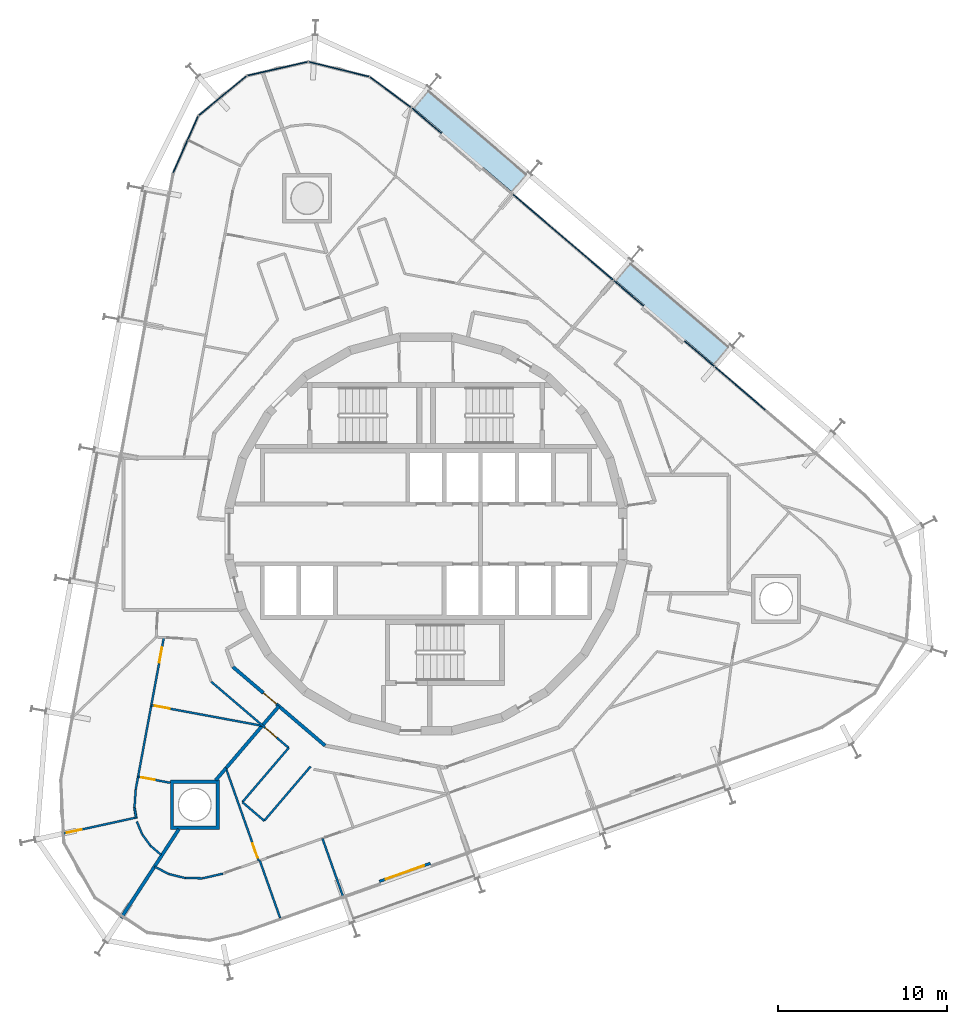
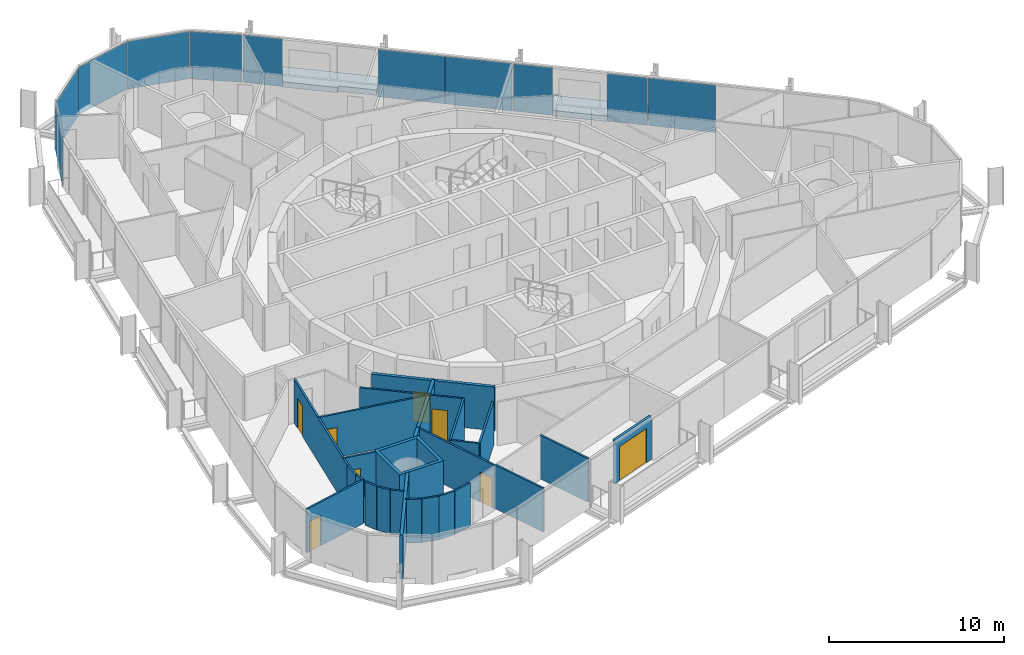
# One storey, part 10 of 17: 26 walls, 11 plates, 8 doors, 2 slabs, 8 openings, 2 elements without a shape of their own.
"""IFC4 building model written with IfcOpenShell, lengths in metres."""

from ifc_helpers import new_model, si_unit, direction, frame, frame_2d, origin, origin_2d, place, context, subcontext, project, spatial, polyline, rectangle, outline, extrude, material, layer, layer_set, type_object, element, fill, aggregate, save


model = new_model("IFC4")

# Units and contexts
model_context = context("Model", 3, precision=1e-05, world=origin(), true_north=direction((0.0, 1.0)))
body_context = subcontext(model_context, "Body", "Model", "MODEL_VIEW")
ifc_project = project(units=[si_unit("LENGTHUNIT", "METRE"), si_unit("AREAUNIT", "SQUARE_METRE"), si_unit("VOLUMEUNIT", "CUBIC_METRE"), si_unit("PLANEANGLEUNIT", "RADIAN"), si_unit("MASSUNIT", "GRAM", prefix="KILO")], contexts=[model_context])

# Site, building, storey
site_placement = place(None, origin())
site = spatial("IfcSite", under=ifc_project, at=site_placement, CompositionType="ELEMENT")
building_placement = place(site_placement, origin())
building = spatial("IfcBuilding", under=site, at=building_placement, Name="Spindle Arch Residences", CompositionType="ELEMENT")
storey_placement = place(building_placement, frame((0.0, 0.0, 179.699951171875)))
storey = spatial("IfcBuildingStorey", under=building, at=storey_placement, Name="L45", CompositionType="ELEMENT", Elevation=179.699951171875)

# Slabs
ifc_material_1 = material(Name="Concrete C40/50", Category="concrete")
ifc_layer_1 = layer(ifc_material_1, 0.3798828125)
ifc_layer_set_1 = layer_set([ifc_layer_1], Name="Balcony slab 380")
slab_type = type_object("IfcSlabType", Name="Balcony slab 380", PredefinedType="FLOOR", material=ifc_layer_set_1)
slab_1_placement = place(storey_placement, frame((0.0, 0.0, -0.3798828125)))
element("IfcSlab", 1, at=slab_1_placement, inside=storey, type_object=slab_type, Name="Balcony L45 bay 7", PredefinedType="FLOOR", context=body_context, shape_type="SweptSolid", body=[
    extrude(outline(polyline([(18.031494140625, 11.14208984375), (17.974365234375, 11.190673828125), (17.876953125, 11.07666015625), (12.128173828125, 15.986572265625), (12.2255859375, 16.1005859375), (12.168701171875, 16.1494140625), (11.200927734375, 15.016357421875), (12.915771484375, 13.5517578125), (12.811767578125, 13.43017578125), (15.2451171875, 11.351806640625), (15.34912109375, 11.4736328125), (17.063720703125, 10.009033203125), (18.031494140625, 11.14208984375)])), origin(), (0.0, 0.0, 1.0), 0.3798828125),
])
slab_2_placement = place(storey_placement, frame((0.0, 0.0, -0.3798828125)))
element("IfcSlab", 2, at=slab_2_placement, inside=storey, type_object=slab_type, Name="Balcony L45 bay 9", PredefinedType="FLOOR", context=body_context, shape_type="SweptSolid", body=[
    extrude(outline(polyline([(6.07763671875, 21.351318359375), (6.020751953125, 21.400146484375), (5.92333984375, 21.2861328125), (0.174560546875, 26.196044921875), (0.27197265625, 26.31005859375), (0.21484375, 26.358642578125), (-0.752685546875, 25.225830078125), (0.9619140625, 23.76123046875), (0.858154296875, 23.6396484375), (3.29150390625, 21.561279296875), (3.395263671875, 21.682861328125), (5.110107421875, 20.218505859375), (6.07763671875, 21.351318359375)])), origin(), (0.0, 0.0, 1.0), 0.3798828125),
])

# Curtain wall, plates
ifc_material_2 = material(Name="Aluminium bronze unitised frame with tinted glass", Category="aluminium")
ifc_layer_2 = layer(ifc_material_2, 0.159912109375)
ifc_layer_set_2 = layer_set([ifc_layer_2], Name="CW-C typical residential unitised wall")
curtain_wall_type_1 = type_object("IfcCurtainWallType", Name="CW-C typical residential unitised wall", PredefinedType="NOTDEFINED", material=ifc_layer_set_2)
curtain_wall_1_placement = place(storey_placement, origin())
curtain_wall_1 = element("IfcCurtainWall", 3, at=curtain_wall_1_placement, inside=storey, type_object=curtain_wall_type_1, Name="CW-C L45 run 2", PredefinedType="NOTDEFINED")
ifc_material_3 = material(Name="Tinted double glazing over aluminium faced non-combustible spandrel zone (K0)", Category="aluminium")
ifc_layer_3 = layer(ifc_material_3, 0.06005859375)
ifc_layer_set_3 = layer_set([ifc_layer_3], Name="Unitised glass panel with E 60 spandrel zone")
plate_type = type_object("IfcPlateType", Name="Unitised glass panel with E 60 spandrel zone", PredefinedType="CURTAIN_PANEL", material=ifc_layer_set_3)
plate_1_placement = place(storey_placement, frame((18.574462890625, 8.613525390625, -0.3798828125), z_axis=(0.0, 0.0, 1.0), x_axis=(-0.7604059656, 0.64944804833, 0.0)))
plate_1 = element("IfcPlate", 4, at=plate_1_placement, type_object=plate_type, Name="CW-C unit 05B", PredefinedType="CURTAIN_PANEL", context=body_context, shape_type="SweptSolid", body=[
    extrude(rectangle(XDim=3.900146484375, YDim=0.06005859375, at=origin_2d()), origin(), (0.0, 0.0, 1.0), 3.31005859375),
])
plate_2_placement = place(storey_placement, frame((16.171630859375, 10.665771484375, -0.3798828125), z_axis=(0.0, 0.0, 1.0), x_axis=(-0.7604059656, 0.64944804833, 0.0)))
plate_2 = element("IfcPlate", 5, at=plate_2_placement, type_object=plate_type, Name="CW-C unit 06L", PredefinedType="CURTAIN_PANEL", context=body_context, shape_type="SweptSolid", body=[
    extrude(rectangle(XDim=2.300048828125, YDim=0.06005859375, at=origin_2d()), origin(), (0.0, 0.0, 1.0), 3.31005859375),
])
plate_3_placement = place(storey_placement, frame((11.9892578125, 14.23779296875, -0.3798828125), z_axis=(0.0, 0.0, 1.0), x_axis=(-0.7604059656, 0.64944804833, 0.0)))
plate_3 = element("IfcPlate", 6, at=plate_3_placement, type_object=plate_type, Name="CW-C unit 06R", PredefinedType="CURTAIN_PANEL", context=body_context, shape_type="SweptSolid", body=[
    extrude(rectangle(XDim=2.300048828125, YDim=0.06005859375, at=origin_2d()), origin(), (0.0, 0.0, 1.0), 3.31005859375),
])
plate_4_placement = place(storey_placement, frame((9.58642578125, 16.2900390625, -0.3798828125), z_axis=(0.0, 0.0, 1.0), x_axis=(-0.7604059656, 0.64944804833, 0.0)))
plate_4 = element("IfcPlate", 7, at=plate_4_placement, type_object=plate_type, Name="CW-C unit 07A", PredefinedType="CURTAIN_PANEL", context=body_context, shape_type="SweptSolid", body=[
    extrude(rectangle(XDim=3.900146484375, YDim=0.06005859375, at=origin_2d()), origin(), (0.0, 0.0, 1.0), 3.31005859375),
])
plate_5_placement = place(storey_placement, frame((6.620849609375, 18.822998046875, -0.3798828125), z_axis=(0.0, 0.0, 1.0), x_axis=(-0.7604059656, 0.64944804833, 0.0)))
plate_5 = element("IfcPlate", 8, at=plate_5_placement, type_object=plate_type, Name="CW-C unit 07B", PredefinedType="CURTAIN_PANEL", context=body_context, shape_type="SweptSolid", body=[
    extrude(rectangle(XDim=3.900146484375, YDim=0.06005859375, at=origin_2d()), origin(), (0.0, 0.0, 1.0), 3.31005859375),
])
plate_6_placement = place(storey_placement, frame((0.03564453125, 24.447265625, -0.3798828125), z_axis=(0.0, 0.0, 1.0), x_axis=(-0.7604059656, 0.64944804833, 0.0)))
plate_6 = element("IfcPlate", 9, at=plate_6_placement, type_object=plate_type, Name="CW-C unit 08R", PredefinedType="CURTAIN_PANEL", context=body_context, shape_type="SweptSolid", body=[
    extrude(rectangle(XDim=2.300048828125, YDim=0.06005859375, at=origin_2d()), origin(), (0.0, 0.0, 1.0), 3.31005859375),
])
aggregate(curtain_wall_1, [plate_1, plate_2, plate_3, plate_4, plate_5, plate_6])

ifc_material_4 = material(Name="Aluminium bronze unitised frame with tinted glass", Category="aluminium")
ifc_layer_4 = layer(ifc_material_4, 0.159912109375)
ifc_layer_set_4 = layer_set([ifc_layer_4], Name="CW-D corner wall on the fillet arcs")
curtain_wall_type_2 = type_object("IfcCurtainWallType", Name="CW-D corner wall on the fillet arcs", PredefinedType="NOTDEFINED", material=ifc_layer_set_4)
curtain_wall_2_placement = place(storey_placement, origin())
curtain_wall_2 = element("IfcCurtainWall", 10, at=curtain_wall_2_placement, inside=storey, type_object=curtain_wall_type_2, Name="CW-D L45 run 3", PredefinedType="NOTDEFINED")
plate_7_placement = place(storey_placement, frame((-2.102294921875, 26.1298828125, -0.3798828125), z_axis=(0.0, 0.0, 1.0), x_axis=(-0.804365716131, 0.594134492109, 0.0)))
plate_7 = element("IfcPlate", 11, at=plate_7_placement, type_object=plate_type, Name="CW-D unit 00", PredefinedType="CURTAIN_PANEL", context=body_context, shape_type="SweptSolid", body=[
    extrude(rectangle(XDim=3.0244140625, YDim=0.06005859375, at=origin_2d()), origin(), (0.0, 0.0, 1.0), 3.31005859375),
])
plate_8_placement = place(storey_placement, frame((-5.152099609375, 27.49169921875, -0.3798828125), z_axis=(0.0, 0.0, 1.0), x_axis=(-0.970995342056, 0.239098401721, 0.0)))
plate_8 = element("IfcPlate", 12, at=plate_8_placement, type_object=plate_type, Name="CW-D unit 01", PredefinedType="CURTAIN_PANEL", context=body_context, shape_type="SweptSolid", body=[
    extrude(rectangle(XDim=3.666748046875, YDim=0.06005859375, at=origin_2d()), origin(), (0.0, 0.0, 1.0), 3.31005859375),
])
plate_9_placement = place(storey_placement, frame((-8.7783203125, 27.5234375, -0.3798828125), z_axis=(0.0, 0.0, 1.0), x_axis=(-0.975020297449, -0.222115779633, 0.0)))
plate_9 = element("IfcPlate", 13, at=plate_9_placement, type_object=plate_type, Name="CW-D unit 02", PredefinedType="CURTAIN_PANEL", context=body_context, shape_type="SweptSolid", body=[
    extrude(rectangle(XDim=3.666748046875, YDim=0.06005859375, at=origin_2d()), origin(), (0.0, 0.0, 1.0), 3.31005859375),
])
plate_10_placement = place(storey_placement, frame((-12.032958984375, 25.92431640625, -0.3798828125), z_axis=(0.0, 0.0, 1.0), x_axis=(-0.771624583032, -0.636078220709, 0.0)))
plate_10 = element("IfcPlate", 14, at=plate_10_placement, type_object=plate_type, Name="CW-D unit 03", PredefinedType="CURTAIN_PANEL", context=body_context, shape_type="SweptSolid", body=[
    extrude(rectangle(XDim=3.666748046875, YDim=0.06005859375, at=origin_2d()), origin(), (0.0, 0.0, 1.0), 3.31005859375),
])
plate_11_placement = place(storey_placement, frame((-14.2236328125, 23.034423828125, -0.3798828125), z_axis=(0.0, 0.0, 1.0), x_axis=(-0.404077526853, -0.914724741271, 0.0)))
plate_11 = element("IfcPlate", 15, at=plate_11_placement, type_object=plate_type, Name="CW-D unit 04", PredefinedType="CURTAIN_PANEL", context=body_context, shape_type="SweptSolid", body=[
    extrude(rectangle(XDim=3.666748046875, YDim=0.06005859375, at=origin_2d()), origin(), (0.0, 0.0, 1.0), 3.31005859375),
])
aggregate(curtain_wall_2, [plate_7, plate_8, plate_9, plate_10, plate_11])

# Wall, opening, door
ifc_material_5 = material(Name="Calcium silicate block, plastered")
ifc_layer_5 = layer(ifc_material_5, 0.199951171875)
ifc_layer_set_5 = layer_set([ifc_layer_5], Name="Corridor wall 200")
wall_type_1 = type_object("IfcWallType", Name="Corridor wall 200", PredefinedType="STANDARD", material=ifc_layer_set_5)
wall_1_placement = place(storey_placement, frame((-11.432861328125, -7.857666015625, 0.0), z_axis=(0.0, 0.0, 1.0), x_axis=(0.760412154545, -0.649440801937, 0.0)))
wall_1 = element("IfcWall", 16, at=wall_1_placement, inside=storey, type_object=wall_type_1, Name="Corridor wall R4C0-W016", PredefinedType="STANDARD", context=body_context, shape_type="SweptSolid", body=[
    extrude(rectangle(XDim=7.180908203125, YDim=0.199951171875, at=frame_2d((3.59033203125, 0.0))), origin(), (0.0, 0.0, 1.0), 3.050048828125),
])
opening_1_placement = place(wall_1_placement, frame((2.390380859375, 0.0, 0.0)))
opening_1 = element("IfcOpeningElement", 17, at=opening_1_placement, cuts=wall_1, Name="Opening R4C0-FD04", PredefinedType="OPENING", context=body_context, shape_type="SweptSolid", body=[
    extrude(rectangle(XDim=1.0, YDim=2.10009765625, at=frame_2d((0.5, 1.050048828125))), frame((0.0, 0.10986328125, 0.0), z_axis=(0.0, -1.0, 0.0), x_axis=(1.0, 0.0, 0.0)), (0.0, 0.0, 1.0), 0.219970703125),
])
ifc_material_6 = material(Name="Timber, fire-resisting door set", Category="wood")
door_type_1 = type_object("IfcDoorType", Name="Flat entrance door 1000x2100", OperationType="NOTDEFINED", PredefinedType="DOOR", material=ifc_material_6)
door_1_placement = place(opening_1_placement, origin())
door_1 = element("IfcDoor", 18, at=door_1_placement, inside=storey, type_object=door_type_1, Name="Flat entrance door R4C0-FD04", OperationType="SINGLE_SWING_RIGHT", OverallHeight=2.10009765625, OverallWidth=1.0, PredefinedType="DOOR", context=body_context, shape_type="SweptSolid", body=[
    extrude(rectangle(XDim=1.0, YDim=2.10009765625, at=frame_2d((0.5, 1.050048828125))), frame((0.0, 0.02490234375, 0.0), z_axis=(0.0, -1.0, 0.0), x_axis=(1.0, 0.0, 0.0)), (0.0, 0.0, 1.0), 0.050048828125),
])
fill(opening_1, door_1)

ifc_material_7 = material(Name="Plasterboard on steel studs", Category="steel")
ifc_layer_6 = layer(ifc_material_7, 0.1201171875)
ifc_layer_set_6 = layer_set([ifc_layer_6], Name="Flat partition 120")
wall_type_2 = type_object("IfcWallType", Name="Flat partition 120", PredefinedType="PARTITIONING", material=ifc_layer_set_6)
wall_2_placement = place(storey_placement, frame((-12.712646484375, -8.7373046875, 0.0), z_axis=(0.0, 0.0, 1.0), x_axis=(0.760432387723, -0.649417110725, 0.0)))
wall_2 = element("IfcWall", 19, at=wall_2_placement, inside=storey, type_object=wall_type_2, Name="Flat partition R4C0-W085", PredefinedType="PARTITIONING", context=body_context, shape_type="SweptSolid", body=[
    extrude(rectangle(XDim=6.0322265625, YDim=0.1201171875, at=frame_2d((3.01611328125, 0.0))), origin(), (0.0, 0.0, 1.0), 3.050048828125),
])
opening_2_placement = place(wall_2_placement, frame((4.1923828125, 0.0, 0.0)))
opening_2 = element("IfcOpeningElement", 20, at=opening_2_placement, cuts=wall_2, Name="Opening R4C0-ID22", PredefinedType="OPENING", context=body_context, shape_type="SweptSolid", body=[
    extrude(rectangle(XDim=0.89990234375, YDim=2.10009765625, at=frame_2d((0.449951171875, 1.050048828125))), frame((0.0, 0.070068359375, 0.0), z_axis=(0.0, -1.0, 0.0), x_axis=(1.0, 0.0, 0.0)), (0.0, 0.0, 1.0), 0.14013671875),
])
ifc_material_8 = material(Name="Timber door set", Category="wood")
door_type_2 = type_object("IfcDoorType", Name="Room door 900x2100", OperationType="NOTDEFINED", PredefinedType="DOOR", material=ifc_material_8)
door_2_placement = place(opening_2_placement, origin())
door_2 = element("IfcDoor", 21, at=door_2_placement, inside=storey, type_object=door_type_2, Name="Room door R4C0-ID22", OperationType="SINGLE_SWING_LEFT", OverallHeight=2.10009765625, OverallWidth=0.89990234375, PredefinedType="DOOR", context=body_context, shape_type="SweptSolid", body=[
    extrude(rectangle(XDim=0.89990234375, YDim=2.10009765625, at=frame_2d((0.449951171875, 1.050048828125))), frame((0.0, 0.02490234375, 0.0), z_axis=(0.0, -1.0, 0.0), x_axis=(1.0, 0.0, 0.0)), (0.0, 0.0, 1.0), 0.050048828125),
])
fill(opening_2, door_2)

wall_3_placement = place(storey_placement, frame((-15.509765625, -6.1298828125, 0.0), z_axis=(0.0, 0.0, 1.0), x_axis=(-0.182243361628, -0.98325345519, 0.0)))
wall_3 = element("IfcWall", 22, at=wall_3_placement, inside=storey, type_object=wall_type_2, Name="Flat partition R4C0-W087", PredefinedType="PARTITIONING", context=body_context, shape_type="SweptSolid", body=[
    extrude(rectangle(XDim=9.1337890625, YDim=0.1201171875, at=frame_2d((4.56689453125, 0.0))), origin(), (0.0, 0.0, 1.0), 3.050048828125),
])
opening_3_placement = place(wall_3_placement, frame((0.60009765625, 0.0, 0.0)))
opening_3 = element("IfcOpeningElement", 23, at=opening_3_placement, cuts=wall_3, Name="Opening R4C0-ID19", PredefinedType="OPENING", context=body_context, shape_type="SweptSolid", body=[
    extrude(rectangle(XDim=0.89990234375, YDim=2.10009765625, at=frame_2d((0.449951171875, 1.050048828125))), frame((0.0, 0.070068359375, 0.0), z_axis=(0.0, -1.0, 0.0), x_axis=(1.0, 0.0, 0.0)), (0.0, 0.0, 1.0), 0.14013671875),
])
door_3_placement = place(opening_3_placement, origin())
door_3 = element("IfcDoor", 24, at=door_3_placement, inside=storey, type_object=door_type_2, Name="Room door R4C0-ID19", OperationType="SINGLE_SWING_RIGHT", OverallHeight=2.10009765625, OverallWidth=0.89990234375, PredefinedType="DOOR", context=body_context, shape_type="SweptSolid", body=[
    extrude(rectangle(XDim=0.89990234375, YDim=2.10009765625, at=frame_2d((0.449951171875, 1.050048828125))), frame((0.0, 0.02490234375, 0.0), z_axis=(0.0, -1.0, 0.0), x_axis=(1.0, 0.0, 0.0)), (0.0, 0.0, 1.0), 0.050048828125),
])
fill(opening_3, door_3)

wall_4_placement = place(storey_placement, frame((-16.251708984375, -10.133056640625, 0.0), z_axis=(0.0, 0.0, 1.0), x_axis=(0.983256998026, -0.182224246005, 0.0)))
wall_4 = element("IfcWall", 25, at=wall_4_placement, inside=storey, type_object=wall_type_2, Name="Flat partition R4C0-W088", PredefinedType="PARTITIONING", context=body_context, shape_type="SweptSolid", body=[
    extrude(rectangle(XDim=6.670654296875, YDim=0.1201171875, at=frame_2d((3.33544921875, 0.0))), origin(), (0.0, 0.0, 1.0), 3.050048828125),
])
opening_4_placement = place(wall_4_placement, frame((0.199951171875, 0.0, 0.0)))
opening_4 = element("IfcOpeningElement", 26, at=opening_4_placement, cuts=wall_4, Name="Opening R4C0-ID20", PredefinedType="OPENING", context=body_context, shape_type="SweptSolid", body=[
    extrude(rectangle(XDim=0.89990234375, YDim=2.10009765625, at=frame_2d((0.449951171875, 1.050048828125))), frame((0.0, 0.070068359375, 0.0), z_axis=(0.0, -1.0, 0.0), x_axis=(1.0, 0.0, 0.0)), (0.0, 0.0, 1.0), 0.14013671875),
])
door_4_placement = place(opening_4_placement, origin())
door_4 = element("IfcDoor", 27, at=door_4_placement, inside=storey, type_object=door_type_2, Name="Room door R4C0-ID20", OperationType="SINGLE_SWING_RIGHT", OverallHeight=2.10009765625, OverallWidth=0.89990234375, PredefinedType="DOOR", context=body_context, shape_type="SweptSolid", body=[
    extrude(rectangle(XDim=0.89990234375, YDim=2.10009765625, at=frame_2d((0.449951171875, 1.050048828125))), frame((0.0, 0.02490234375, 0.0), z_axis=(0.0, -1.0, 0.0), x_axis=(1.0, 0.0, 0.0)), (0.0, 0.0, 1.0), 0.050048828125),
])
fill(opening_4, door_4)

# Walls
wall_5_placement = place(storey_placement, frame((-17.142822265625, -16.81689453125, 0.0), z_axis=(0.0, 0.0, 1.0), x_axis=(-0.164964120994, 0.98629956848, 0.0)))
element("IfcWall", 28, at=wall_5_placement, inside=storey, type_object=wall_type_2, Name="Flat partition R4C0-W089", PredefinedType="PARTITIONING", context=body_context, shape_type="SweptSolid", body=[
    extrude(rectangle(XDim=0.63037109375, YDim=0.1201171875, at=frame_2d((0.315185546875, 0.0))), origin(), (0.0, 0.0, 1.0), 3.050048828125),
])
wall_6_placement = place(storey_placement, frame((-17.246826171875, -16.195068359375, 0.0), z_axis=(0.0, 0.0, 1.0), x_axis=(0.066712820538, 0.997772218282, 0.0)))
element("IfcWall", 29, at=wall_6_placement, inside=storey, type_object=wall_type_2, Name="Flat partition R4C0-W090", PredefinedType="PARTITIONING", context=body_context, shape_type="SweptSolid", body=[
    extrude(rectangle(XDim=1.0869140625, YDim=0.1201171875, at=frame_2d((0.54345703125, 0.0))), origin(), (0.0, 0.0, 1.0), 3.050048828125),
])

# Wall, opening, door
wall_7_placement = place(storey_placement, frame((-21.452880859375, -17.71923828125, 0.0), z_axis=(0.0, 0.0, 1.0), x_axis=(0.976887361549, 0.213754725903, 0.0)))
wall_7 = element("IfcWall", 30, at=wall_7_placement, inside=storey, type_object=wall_type_2, Name="Flat partition R4C0-W091", PredefinedType="PARTITIONING", context=body_context, shape_type="SweptSolid", body=[
    extrude(rectangle(XDim=4.4052734375, YDim=0.1201171875, at=frame_2d((2.20263671875, 0.0))), origin(), (0.0, 0.0, 1.0), 3.050048828125),
])
opening_5_placement = place(wall_7_placement, frame((0.199951171875, 0.0, 0.0)))
opening_5 = element("IfcOpeningElement", 31, at=opening_5_placement, cuts=wall_7, Name="Opening R4C0-ID21", PredefinedType="OPENING", context=body_context, shape_type="SweptSolid", body=[
    extrude(rectangle(XDim=0.89990234375, YDim=2.10009765625, at=frame_2d((0.449951171875, 1.050048828125))), frame((0.0, 0.070068359375, 0.0), z_axis=(0.0, -1.0, 0.0), x_axis=(1.0, 0.0, 0.0)), (0.0, 0.0, 1.0), 0.14013671875),
])
door_5_placement = place(opening_5_placement, origin())
door_5 = element("IfcDoor", 32, at=door_5_placement, inside=storey, type_object=door_type_2, Name="Room door R4C0-ID21", OperationType="SINGLE_SWING_RIGHT", OverallHeight=2.10009765625, OverallWidth=0.89990234375, PredefinedType="DOOR", context=body_context, shape_type="SweptSolid", body=[
    extrude(rectangle(XDim=0.89990234375, YDim=2.10009765625, at=frame_2d((0.449951171875, 1.050048828125))), frame((0.0, 0.02490234375, 0.0), z_axis=(0.0, -1.0, 0.0), x_axis=(1.0, 0.0, 0.0)), (0.0, 0.0, 1.0), 0.050048828125),
])
fill(opening_5, door_5)

wall_8_placement = place(storey_placement, frame((-17.0361328125, -14.3662109375, 0.0), z_axis=(0.0, 0.0, 1.0), x_axis=(0.983259435886, -0.182211091156, 0.0)))
wall_8 = element("IfcWall", 33, at=wall_8_placement, inside=storey, type_object=wall_type_2, Name="Flat partition R4C0-W092", PredefinedType="PARTITIONING", context=body_context, shape_type="SweptSolid", body=[
    extrude(rectangle(XDim=1.9375, YDim=0.1201171875, at=frame_2d((0.96875, 0.0))), origin(), (0.0, 0.0, 1.0), 3.050048828125),
])
opening_6_placement = place(wall_8_placement, frame((0.199951171875, 0.0, 0.0)))
opening_6 = element("IfcOpeningElement", 34, at=opening_6_placement, cuts=wall_8, Name="Opening R4C0-BD04", PredefinedType="OPENING", context=body_context, shape_type="SweptSolid", body=[
    extrude(rectangle(XDim=0.800048828125, YDim=2.10009765625, at=frame_2d((0.39990234375, 1.050048828125))), frame((0.0, 0.070068359375, 0.0), z_axis=(0.0, -1.0, 0.0), x_axis=(1.0, 0.0, 0.0)), (0.0, 0.0, 1.0), 0.14013671875),
])
ifc_material_9 = material(Name="Timber door set", Category="wood")
door_type_3 = type_object("IfcDoorType", Name="Bathroom door 800x2100", OperationType="NOTDEFINED", PredefinedType="DOOR", material=ifc_material_9)
door_6_placement = place(opening_6_placement, origin())
door_6 = element("IfcDoor", 35, at=door_6_placement, inside=storey, type_object=door_type_3, Name="Bathroom door R4C0-BD04", OperationType="SINGLE_SWING_RIGHT", OverallHeight=2.10009765625, OverallWidth=0.800048828125, PredefinedType="DOOR", context=body_context, shape_type="SweptSolid", body=[
    extrude(rectangle(XDim=0.800048828125, YDim=2.10009765625, at=frame_2d((0.39990234375, 1.050048828125))), frame((0.0, 0.02490234375, 0.0), z_axis=(0.0, -1.0, 0.0), x_axis=(1.0, 0.0, 0.0)), (0.0, 0.0, 1.0), 0.050048828125),
])
fill(opening_6, door_6)

# Walls
for number, where, z_axis, x_axis, name in (
    (36, (-17.110107421875, -17.0126953125, 0.0), (0.0, 0.0, 1.0), (0.388188667698, -0.921579925059, 0.0), "Flat partition R4C0-W093"),
    (37, (-16.788330078125, -17.776611328125, 0.0), (0.0, 0.0, 1.0), (0.590009203945, -0.807396519227, 0.0), "Flat partition R4C0-W094"),
    (38, (-16.29931640625, -18.44580078125, 0.0), (0.0, 0.0, 1.0), (0.760440337536, -0.649407801807, 0.0), "Flat partition R4C0-W095"),
):
    element("IfcWall", number, at=place(storey_placement, frame(where, z_axis=z_axis, x_axis=x_axis)), inside=storey, type_object=wall_type_2, Name=name, PredefinedType="PARTITIONING", context=body_context, shape_type="SweptSolid", body=[
        extrude(rectangle(XDim=0.828857421875, YDim=0.1201171875, at=frame_2d((0.41455078125, 0.0))), origin(), (0.0, 0.0, 1.0), 3.050048828125),
    ])
wall_9_placement = place(storey_placement, frame((-8.12548828125, -12.65478515625, 0.0), z_axis=(0.0, 0.0, 1.0), x_axis=(-0.649441944702, -0.760411178549, 0.0)))
element("IfcWall", 39, at=wall_9_placement, inside=storey, type_object=wall_type_2, Name="Flat partition R4C0-W096", PredefinedType="PARTITIONING", context=body_context, shape_type="SweptSolid", body=[
    extrude(rectangle(XDim=4.2197265625, YDim=0.1201171875, at=frame_2d((2.10986328125, 0.0))), origin(), (0.0, 0.0, 1.0), 3.050048828125),
])
wall_10_placement = place(storey_placement, frame((-10.865966796875, -15.863525390625, 0.0), z_axis=(0.0, 0.0, 1.0), x_axis=(0.760431300628, -0.649418383652, 0.0)))
element("IfcWall", 40, at=wall_10_placement, inside=storey, type_object=wall_type_2, Name="Flat partition R4C0-W097", PredefinedType="PARTITIONING", context=body_context, shape_type="SweptSolid", body=[
    extrude(rectangle(XDim=1.699951171875, YDim=0.1201171875, at=frame_2d((0.85009765625, 0.0))), origin(), (0.0, 0.0, 1.0), 3.050048828125),
])
wall_11_placement = place(storey_placement, frame((-9.5732421875, -16.967529296875, 0.0), z_axis=(0.0, 0.0, 1.0), x_axis=(0.649437062208, 0.760415348498, 0.0)))
element("IfcWall", 41, at=wall_11_placement, inside=storey, type_object=wall_type_2, Name="Flat partition R4C0-W098", PredefinedType="PARTITIONING", context=body_context, shape_type="SweptSolid", body=[
    extrude(rectangle(XDim=4.219482421875, YDim=0.1201171875, at=frame_2d((2.10986328125, 0.0))), origin(), (0.0, 0.0, 1.0), 3.050048828125),
])
wall_12_placement = place(storey_placement, frame((-16.065185546875, -19.679931640625, 0.0), z_axis=(0.0, 0.0, 1.0), x_axis=(0.889684645268, -0.456575549033, 0.0)))
element("IfcWall", 42, at=wall_12_placement, inside=storey, type_object=wall_type_2, Name="Flat partition R4C0-W100", PredefinedType="PARTITIONING", context=body_context, shape_type="SweptSolid", body=[
    extrude(rectangle(XDim=0.95703125, YDim=0.1201171875, at=frame_2d((0.478515625, 0.0))), origin(), (0.0, 0.0, 1.0), 3.050048828125),
])
wall_13_placement = place(storey_placement, frame((-15.213623046875, -20.116943359375, 0.0), z_axis=(0.0, 0.0, 1.0), x_axis=(0.970998575146, -0.239085271534, 0.0)))
element("IfcWall", 43, at=wall_13_placement, inside=storey, type_object=wall_type_2, Name="Flat partition R4C0-W101", PredefinedType="PARTITIONING", context=body_context, shape_type="SweptSolid", body=[
    extrude(rectangle(XDim=1.01611328125, YDim=0.1201171875, at=frame_2d((0.508056640625, 0.0))), origin(), (0.0, 0.0, 1.0), 3.050048828125),
])
wall_14_placement = place(storey_placement, frame((-14.22705078125, -20.35986328125, 0.0), z_axis=(0.0, 0.0, 1.0), x_axis=(0.999960467683, -0.008891741722, 0.0)))
element("IfcWall", 44, at=wall_14_placement, inside=storey, type_object=wall_type_2, Name="Flat partition R4C0-W102", PredefinedType="PARTITIONING", context=body_context, shape_type="SweptSolid", body=[
    extrude(rectangle(XDim=1.015869140625, YDim=0.1201171875, at=frame_2d((0.5078125, 0.0))), origin(), (0.0, 0.0, 1.0), 3.050048828125),
])
wall_15_placement = place(storey_placement, frame((-13.211181640625, -20.368896484375, 0.0), z_axis=(0.0, 0.0, 1.0), x_axis=(0.974997834831, 0.222214360642, 0.0)))
element("IfcWall", 45, at=wall_15_placement, inside=storey, type_object=wall_type_2, Name="Flat partition R4C0-W103", PredefinedType="PARTITIONING", context=body_context, shape_type="SweptSolid", body=[
    extrude(rectangle(XDim=1.227294921875, YDim=0.1201171875, at=frame_2d((0.61376953125, 0.0))), origin(), (0.0, 0.0, 1.0), 3.050048828125),
])

# Wall, opening, door
wall_16_placement = place(storey_placement, frame((-9.895263671875, -19.345703125, 0.0), z_axis=(0.0, 0.0, 1.0), x_axis=(-0.333781129158, 0.942650602195, 0.0)))
wall_16 = element("IfcWall", 46, at=wall_16_placement, inside=storey, type_object=wall_type_2, Name="Flat partition R4C0-W105", PredefinedType="PARTITIONING", context=body_context, shape_type="SweptSolid", body=[
    extrude(rectangle(XDim=5.8193359375, YDim=0.1201171875, at=frame_2d((2.90966796875, 0.0))), origin(), (0.0, 0.0, 1.0), 3.050048828125),
])
opening_7_placement = place(wall_16_placement, frame((0.199951171875, 0.0, 0.0)))
opening_7 = element("IfcOpeningElement", 47, at=opening_7_placement, cuts=wall_16, Name="Opening R4C0-ID23", PredefinedType="OPENING", context=body_context, shape_type="SweptSolid", body=[
    extrude(rectangle(XDim=0.89990234375, YDim=2.10009765625, at=frame_2d((0.449951171875, 1.050048828125))), frame((0.0, 0.070068359375, 0.0), z_axis=(0.0, -1.0, 0.0), x_axis=(1.0, 0.0, 0.0)), (0.0, 0.0, 1.0), 0.14013671875),
])
door_7_placement = place(opening_7_placement, origin())
door_7 = element("IfcDoor", 48, at=door_7_placement, inside=storey, type_object=door_type_2, Name="Room door R4C0-ID23", OperationType="SINGLE_SWING_LEFT", OverallHeight=2.10009765625, OverallWidth=0.89990234375, PredefinedType="DOOR", context=body_context, shape_type="SweptSolid", body=[
    extrude(rectangle(XDim=0.89990234375, YDim=2.10009765625, at=frame_2d((0.449951171875, 1.050048828125))), frame((0.0, 0.02490234375, 0.0), z_axis=(0.0, -1.0, 0.0), x_axis=(1.0, 0.0, 0.0)), (0.0, 0.0, 1.0), 0.050048828125),
])
fill(opening_7, door_7)

# Walls
wall_17_placement = place(storey_placement, frame((-8.632080078125, -22.717529296875, 0.0), z_axis=(0.0, 0.0, 1.0), x_axis=(-0.333791905243, 0.942646786445, 0.0)))
element("IfcWall", 49, at=wall_17_placement, inside=storey, type_object=wall_type_2, Name="Flat partition R4C0-W106", PredefinedType="PARTITIONING", context=body_context, shape_type="SweptSolid", body=[
    extrude(rectangle(XDim=3.60009765625, YDim=0.1201171875, at=frame_2d((1.800048828125, 0.0))), origin(), (0.0, 0.0, 1.0), 3.050048828125),
])
wall_18_placement = place(storey_placement, frame((-4.927490234375, -21.405517578125, 0.0), z_axis=(0.0, 0.0, 1.0), x_axis=(-0.333813244781, 0.942639229827, 0.0)))
element("IfcWall", 50, at=wall_18_placement, inside=storey, type_object=wall_type_2, Name="Flat partition R4C0-W108", PredefinedType="PARTITIONING", context=body_context, shape_type="SweptSolid", body=[
    extrude(rectangle(XDim=3.599853515625, YDim=0.1201171875, at=frame_2d((1.7998046875, 0.0))), origin(), (0.0, 0.0, 1.0), 3.050048828125),
])
ifc_material_10 = material(Name="Calcium silicate block, plastered")
ifc_layer_7 = layer(ifc_material_10, 0.199951171875)
ifc_layer_set_7 = layer_set([ifc_layer_7], Name="Flat party wall 200")
wall_type_3 = type_object("IfcWallType", Name="Flat party wall 200", PredefinedType="STANDARD", material=ifc_layer_set_7)
wall_19_placement = place(storey_placement, frame((-11.837646484375, -13.860107421875, 0.0), z_axis=(0.0, 0.0, 1.0), x_axis=(0.64944503311, 0.760408540831, 0.0)))
element("IfcWall", 51, at=wall_19_placement, inside=storey, type_object=wall_type_3, Name="Flat party wall R4C0-W033", PredefinedType="STANDARD", context=body_context, shape_type="SweptSolid", body=[
    extrude(rectangle(XDim=4.8271484375, YDim=0.199951171875, at=frame_2d((2.41357421875, 0.0))), origin(), (0.0, 0.0, 1.0), 3.050048828125),
])
wall_20_placement = place(storey_placement, frame((-12.44287109375, -14.568603515625, 0.0), z_axis=(0.0, 0.0, 1.0), x_axis=(0.649517408851, 0.760346720648, 0.0)))
element("IfcWall", 52, at=wall_20_placement, inside=storey, type_object=wall_type_3, Name="Flat party wall R4C0-W034", PredefinedType="STANDARD", context=body_context, shape_type="SweptSolid", body=[
    extrude(rectangle(XDim=0.931884765625, YDim=0.199951171875, at=frame_2d((0.4658203125, 0.0))), origin(), (0.0, 0.0, 1.0), 3.050048828125),
])
wall_21_placement = place(storey_placement, frame((-18.039794921875, -22.712890625, 0.0), z_axis=(0.0, 0.0, 1.0), x_axis=(0.545628572271, 0.838027124335, 0.0)))
element("IfcWall", 53, at=wall_21_placement, inside=storey, type_object=wall_type_3, Name="Flat party wall R4C0-W035", PredefinedType="STANDARD", context=body_context, shape_type="SweptSolid", body=[
    extrude(rectangle(XDim=6.258056640625, YDim=0.199951171875, at=frame_2d((3.12890625, 0.0))), origin(), (0.0, 0.0, 1.0), 3.050048828125),
])

# Wall, opening, door
ifc_material_11 = material(Name="Non-combustible mineral wool insulated aluminium faced external wall (K0)", Category="aluminium")
ifc_layer_8 = layer(ifc_material_11, 0.159912109375)
ifc_layer_set_8 = layer_set([ifc_layer_8], Name="Insulated external wall panel 160")
wall_type_4 = type_object("IfcWallType", Name="Insulated external wall panel 160", PredefinedType="STANDARD", material=ifc_layer_set_8)
wall_22_placement = place(storey_placement, frame((-2.7578125, -20.55224609375, 0.0), z_axis=(0.0, 0.0, 1.0), x_axis=(0.94265323131, 0.333773704029, 0.0)))
wall_22 = element("IfcWall", 54, at=wall_22_placement, inside=storey, type_object=wall_type_4, Name="External wall L45 bay 21", PredefinedType="STANDARD", context=body_context, shape_type="SweptSolid", body=[
    extrude(rectangle(XDim=3.2001953125, YDim=0.159912109375, at=frame_2d((1.60009765625, 0.0))), origin(), (0.0, 0.0, 1.0), 3.050048828125),
])
opening_8_placement = place(wall_22_placement, frame((0.39990234375, 0.0, 0.0)))
opening_8 = element("IfcOpeningElement", 55, at=opening_8_placement, cuts=wall_22, Name="Opening BD21", PredefinedType="OPENING", context=body_context, shape_type="SweptSolid", body=[
    extrude(rectangle(XDim=2.39990234375, YDim=2.39990234375, at=frame_2d((1.199951171875, 1.199951171875))), frame((0.0, 0.08984375, 0.0), z_axis=(0.0, -1.0, 0.0), x_axis=(1.0, 0.0, 0.0)), (0.0, 0.0, 1.0), 0.179931640625),
])
ifc_material_12 = material(Name="Bronze aluminium frame, tinted double glazing", Category="aluminium")
door_type_4 = type_object("IfcDoorType", Name="Sliding glazed balcony door 2400x2400", OperationType="DOUBLE_DOOR_SLIDING", PredefinedType="DOOR", material=ifc_material_12)
door_8_placement = place(opening_8_placement, origin())
door_8 = element("IfcDoor", 56, at=door_8_placement, inside=storey, type_object=door_type_4, Name="Balcony door BD21", OperationType="DOUBLE_DOOR_SLIDING", OverallHeight=2.39990234375, OverallWidth=2.39990234375, PredefinedType="DOOR", context=body_context, shape_type="SweptSolid", body=[
    extrude(rectangle(XDim=2.39990234375, YDim=2.39990234375, at=frame_2d((1.199951171875, 1.199951171875))), frame((0.0, 0.02490234375, 0.0), z_axis=(0.0, -1.0, 0.0), x_axis=(1.0, 0.0, 0.0)), (0.0, 0.0, 1.0), 0.050048828125),
])
fill(opening_8, door_8)

# Wall
ifc_material_13 = material(Name="Calcium silicate block, plastered")
ifc_layer_9 = layer(ifc_material_13, 0.199951171875)
ifc_layer_set_9 = layer_set([ifc_layer_9], Name="Mega-column casing wall 200")
wall_type_5 = type_object("IfcWallType", Name="Mega-column casing wall 200", PredefinedType="STANDARD", material=ifc_layer_set_9)
wall_23_placement = place(storey_placement, origin())
element("IfcWall", 57, at=wall_23_placement, inside=storey, type_object=wall_type_5, Name="Mega-column casing wall R4C0-WC02", PredefinedType="STANDARD", context=body_context, shape_type="SweptSolid", body=[
    extrude(outline(polyline([(-12.231201171875, -14.568603515625), (-12.231201171875, -17.468505859375), (-15.131103515625, -17.468505859375), (-15.131103515625, -14.568603515625), (-12.231201171875, -14.568603515625)]), holes=[polyline([(-14.93115234375, -17.2685546875), (-12.43115234375, -17.2685546875), (-12.43115234375, -14.7685546875), (-14.93115234375, -14.7685546875), (-14.93115234375, -17.2685546875)])]), origin(), (0.0, 0.0, 1.0), 3.050048828125),
])

save(model, "model.ifc")
